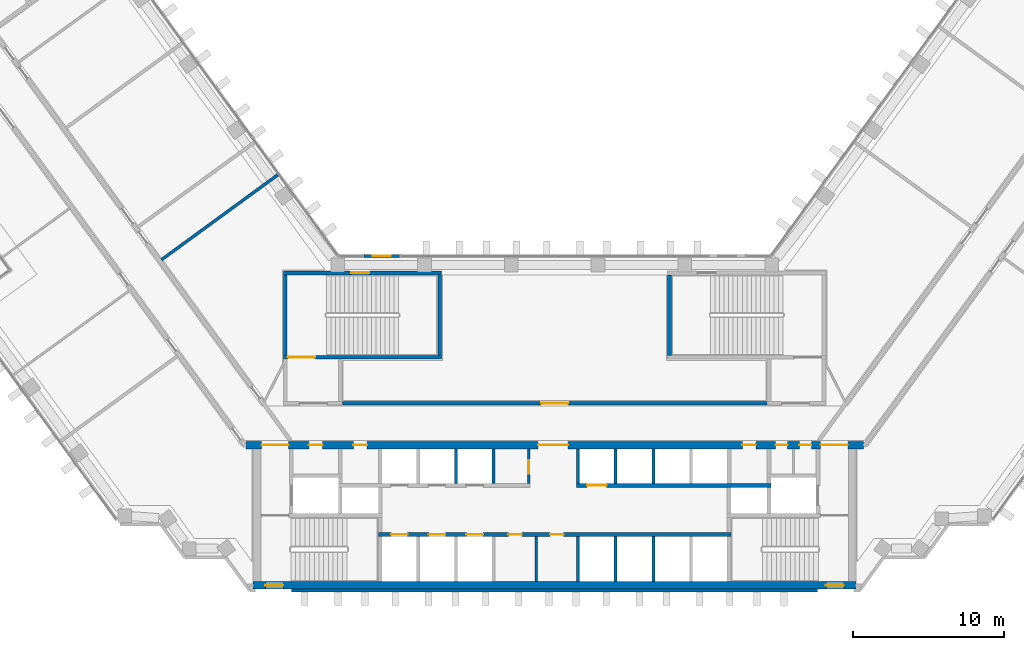
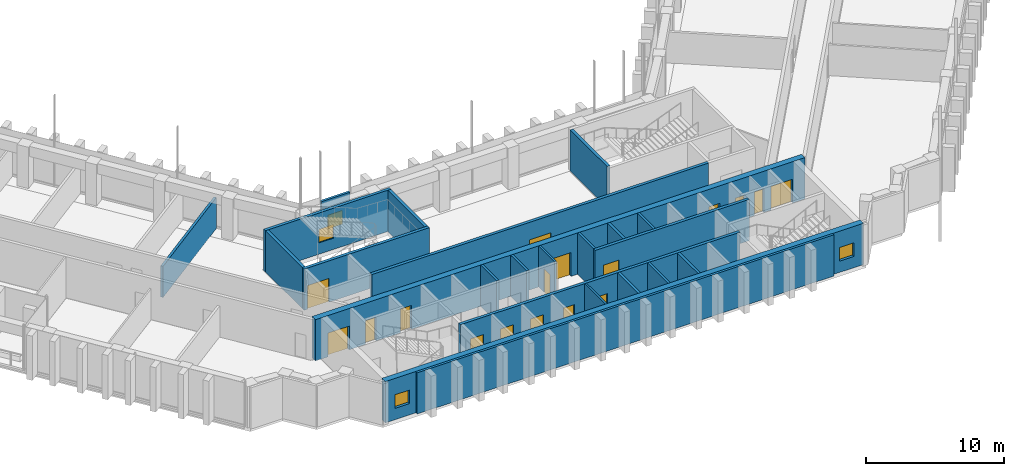
# One storey, part 11 of 19: 23 walls, 17 doors, 4 windows, 21 openings.
"""IFC4 building model written with IfcOpenShell, lengths in metres."""

from ifc_helpers import new_model, si_unit, direction, frame, frame_2d, origin, place, context, subcontext, project, spatial, rectangle, extrude, material, layer, layer_set, type_object, element, fill, save


model = new_model("IFC4")

# Units and contexts
model_context = context("Model", 3, precision=1e-05, world=origin(), true_north=direction((0.0, 1.0)))
body_context = subcontext(model_context, "Body", "Model", "MODEL_VIEW")
ifc_project = project(units=[si_unit("LENGTHUNIT", "METRE"), si_unit("AREAUNIT", "SQUARE_METRE"), si_unit("VOLUMEUNIT", "CUBIC_METRE"), si_unit("PLANEANGLEUNIT", "RADIAN"), si_unit("MASSUNIT", "GRAM", prefix="KILO")], contexts=[model_context])

# Site, building, storey
site_placement = place(None, origin())
site = spatial("IfcSite", under=ifc_project, at=site_placement, CompositionType="ELEMENT")
building_placement = place(site_placement, origin())
building = spatial("IfcBuilding", under=site, at=building_placement, Name="Quipu Civic Tower", CompositionType="ELEMENT")
storey_placement = place(building_placement, frame((0.0, 0.0, 47.0)))
storey = spatial("IfcBuildingStorey", under=building, at=storey_placement, Name="L10", CompositionType="ELEMENT", Elevation=47.0)

# Wall
ifc_material_1 = material(Name="Fired clay blockwork", Category="masonry")
ifc_layer_1 = layer(ifc_material_1, 0.199951171875)
ifc_layer_set_1 = layer_set([ifc_layer_1], Name="Fired clay blockwork")
wall_type_1 = type_object("IfcWallType", Name="Blockwork wall 200", PredefinedType="SOLIDWALL", material=ifc_layer_set_1)
wall_1_placement = place(storey_placement, frame((-26.089111328125, 10.847900390625, 0.0), z_axis=(0.0, 0.0, 1.0), x_axis=(0.807661302092, 0.589646691759, 0.0)))
element("IfcWall", 1, at=wall_1_placement, inside=storey, type_object=wall_type_1, Name="Partition P17", PredefinedType="SOLIDWALL", context=body_context, shape_type="SweptSolid", body=[
    extrude(rectangle(XDim=9.550048828125, YDim=0.199951171875, at=frame_2d((4.77490234375, 0.0))), origin(), (0.0, 0.0, 1.0), 2.75),
])

# Wall, openings, doors
ifc_material_2 = material(Name="Concrete C70/85", Category="concrete")
ifc_layer_2 = layer(ifc_material_2, 0.25)
ifc_layer_set_2 = layer_set([ifc_layer_2], Name="Concrete C70/85")
wall_type_2 = type_object("IfcWallType", Name="Core wall 250", PredefinedType="SHEAR", material=ifc_layer_set_2)
wall_2_placement = place(storey_placement, frame((11.699951171875, -7.375, 0.0), z_axis=(0.0, 0.0, 1.0), x_axis=(-1.0, 0.0, 0.0)))
wall_2 = element("IfcWall", 2, at=wall_2_placement, inside=storey, type_object=wall_type_2, Name="Core wall", PredefinedType="SHEAR", context=body_context, shape_type="SweptSolid", body=[
    extrude(rectangle(XDim=23.39990234375, YDim=0.25, at=frame_2d((11.699951171875, 0.0))), origin(), (0.0, 0.0, 1.0), 3.64990234375),
])
opening_1_placement = place(wall_2_placement, frame((21.449951171875, 0.0, 0.0)))
opening_1 = element("IfcOpeningElement", 3, at=opening_1_placement, cuts=wall_2, Name="Opening LD-LL1", PredefinedType="OPENING", context=body_context, shape_type="SweptSolid", body=[
    extrude(rectangle(XDim=1.10009765625, YDim=2.10009765625, at=frame_2d((0.550048828125, 1.050048828125))), frame((0.0, 0.135009765625, 0.0), z_axis=(0.0, -1.0, 0.0), x_axis=(1.0, 0.0, 0.0)), (0.0, 0.0, 1.0), 0.27001953125),
])
opening_2_placement = place(wall_2_placement, frame((18.949951171875, 0.0, 0.0)))
opening_2 = element("IfcOpeningElement", 4, at=opening_2_placement, cuts=wall_2, Name="Opening LD-LL2", PredefinedType="OPENING", context=body_context, shape_type="SweptSolid", body=[
    extrude(rectangle(XDim=1.10009765625, YDim=2.10009765625, at=frame_2d((0.550048828125, 1.050048828125))), frame((0.0, 0.135009765625, 0.0), z_axis=(0.0, -1.0, 0.0), x_axis=(1.0, 0.0, 0.0)), (0.0, 0.0, 1.0), 0.27001953125),
])
opening_3_placement = place(wall_2_placement, frame((16.449951171875, 0.0, 0.0)))
opening_3 = element("IfcOpeningElement", 5, at=opening_3_placement, cuts=wall_2, Name="Opening LD-LL3", PredefinedType="OPENING", context=body_context, shape_type="SweptSolid", body=[
    extrude(rectangle(XDim=1.10009765625, YDim=2.10009765625, at=frame_2d((0.550048828125, 1.050048828125))), frame((0.0, 0.135009765625, 0.0), z_axis=(0.0, -1.0, 0.0), x_axis=(1.0, 0.0, 0.0)), (0.0, 0.0, 1.0), 0.27001953125),
])
opening_4_placement = place(wall_2_placement, frame((13.875, 0.0, 0.0)))
opening_4 = element("IfcOpeningElement", 6, at=opening_4_placement, cuts=wall_2, Name="Opening CD-01", PredefinedType="OPENING", context=body_context, shape_type="SweptSolid", body=[
    extrude(rectangle(XDim=0.89990234375, YDim=2.10009765625, at=frame_2d((0.449951171875, 1.050048828125))), frame((0.0, 0.135009765625, 0.0), z_axis=(0.0, -1.0, 0.0), x_axis=(1.0, 0.0, 0.0)), (0.0, 0.0, 1.0), 0.27001953125),
])
opening_5_placement = place(wall_2_placement, frame((11.10009765625, 0.0, 0.0)))
opening_5 = element("IfcOpeningElement", 7, at=opening_5_placement, cuts=wall_2, Name="Opening CD-02", PredefinedType="OPENING", context=body_context, shape_type="SweptSolid", body=[
    extrude(rectangle(XDim=0.89990234375, YDim=2.10009765625, at=frame_2d((0.449951171875, 1.050048828125))), frame((0.0, 0.135009765625, 0.0), z_axis=(0.0, -1.0, 0.0), x_axis=(1.0, 0.0, 0.0)), (0.0, 0.0, 1.0), 0.27001953125),
])
ifc_material_3 = material(Name="Fire rated steel door", Category="steel")
door_type_1 = type_object("IfcDoorType", Name="Fire door FD60 900 x 2100", OperationType="NOTDEFINED", PredefinedType="DOOR", material=ifc_material_3)
door_1_placement = place(opening_4_placement, origin())
door_1 = element("IfcDoor", 8, at=door_1_placement, inside=storey, type_object=door_type_1, Name="WC door", OperationType="SINGLE_SWING_RIGHT", OverallHeight=2.10009765625, OverallWidth=0.89990234375, PredefinedType="DOOR", context=body_context, shape_type="SweptSolid", body=[
    extrude(rectangle(XDim=0.89990234375, YDim=2.10009765625, at=frame_2d((0.449951171875, 1.050048828125))), frame((0.0, 0.02490234375, 0.0), z_axis=(0.0, -1.0, 0.0), x_axis=(1.0, 0.0, 0.0)), (0.0, 0.0, 1.0), 0.050048828125),
])
fill(opening_4, door_1)
door_2_placement = place(opening_5_placement, origin())
door_2 = element("IfcDoor", 9, at=door_2_placement, inside=storey, type_object=door_type_1, Name="WC door", OperationType="SINGLE_SWING_LEFT", OverallHeight=2.10009765625, OverallWidth=0.89990234375, PredefinedType="DOOR", context=body_context, shape_type="SweptSolid", body=[
    extrude(rectangle(XDim=0.89990234375, YDim=2.10009765625, at=frame_2d((0.449951171875, 1.050048828125))), frame((0.0, 0.02490234375, 0.0), z_axis=(0.0, -1.0, 0.0), x_axis=(1.0, 0.0, 0.0)), (0.0, 0.0, 1.0), 0.050048828125),
])
fill(opening_5, door_2)
ifc_material_4 = material(Name="Stainless steel", Category="steel")
door_type_2 = type_object("IfcDoorType", Name="Lift landing door 1100 x 2100", OperationType="DOUBLE_DOOR_SLIDING", PredefinedType="DOOR", material=ifc_material_4)
door_3_placement = place(opening_1_placement, origin())
door_3 = element("IfcDoor", 10, at=door_3_placement, inside=storey, type_object=door_type_2, Name="Landing door LL1", OperationType="DOUBLE_DOOR_SLIDING", OverallHeight=2.10009765625, OverallWidth=1.10009765625, PredefinedType="DOOR", context=body_context, shape_type="SweptSolid", body=[
    extrude(rectangle(XDim=1.10009765625, YDim=2.10009765625, at=frame_2d((0.550048828125, 1.050048828125))), frame((0.0, 0.02490234375, 0.0), z_axis=(0.0, -1.0, 0.0), x_axis=(1.0, 0.0, 0.0)), (0.0, 0.0, 1.0), 0.050048828125),
])
fill(opening_1, door_3)
door_4_placement = place(opening_2_placement, origin())
door_4 = element("IfcDoor", 11, at=door_4_placement, inside=storey, type_object=door_type_2, Name="Landing door LL2", OperationType="DOUBLE_DOOR_SLIDING", OverallHeight=2.10009765625, OverallWidth=1.10009765625, PredefinedType="DOOR", context=body_context, shape_type="SweptSolid", body=[
    extrude(rectangle(XDim=1.10009765625, YDim=2.10009765625, at=frame_2d((0.550048828125, 1.050048828125))), frame((0.0, 0.02490234375, 0.0), z_axis=(0.0, -1.0, 0.0), x_axis=(1.0, 0.0, 0.0)), (0.0, 0.0, 1.0), 0.050048828125),
])
fill(opening_2, door_4)
door_5_placement = place(opening_3_placement, origin())
door_5 = element("IfcDoor", 12, at=door_5_placement, inside=storey, type_object=door_type_2, Name="Landing door LL3", OperationType="DOUBLE_DOOR_SLIDING", OverallHeight=2.10009765625, OverallWidth=1.10009765625, PredefinedType="DOOR", context=body_context, shape_type="SweptSolid", body=[
    extrude(rectangle(XDim=1.10009765625, YDim=2.10009765625, at=frame_2d((0.550048828125, 1.050048828125))), frame((0.0, 0.02490234375, 0.0), z_axis=(0.0, -1.0, 0.0), x_axis=(1.0, 0.0, 0.0)), (0.0, 0.0, 1.0), 0.050048828125),
])
fill(opening_3, door_5)

# Wall, opening, door
wall_3_placement = place(storey_placement, frame((1.449951171875, -4.125, 0.0), z_axis=(0.0, 0.0, 1.0), x_axis=(1.0, 0.0, 0.0)))
wall_3 = element("IfcWall", 13, at=wall_3_placement, inside=storey, type_object=wall_type_2, Name="Core wall", PredefinedType="SHEAR", context=body_context, shape_type="SweptSolid", body=[
    extrude(rectangle(XDim=12.900146484375, YDim=0.25, at=frame_2d((6.4501953125, 0.0))), origin(), (0.0, 0.0, 1.0), 3.64990234375),
])
opening_6_placement = place(wall_3_placement, frame((0.699951171875, 0.0, 0.0)))
opening_6 = element("IfcOpeningElement", 14, at=opening_6_placement, cuts=wall_3, Name="Opening LD-FF3", PredefinedType="OPENING", context=body_context, shape_type="SweptSolid", body=[
    extrude(rectangle(XDim=1.300048828125, YDim=2.10009765625, at=frame_2d((0.64990234375, 1.050048828125))), frame((0.0, 0.135009765625, 0.0), z_axis=(0.0, -1.0, 0.0), x_axis=(1.0, 0.0, 0.0)), (0.0, 0.0, 1.0), 0.27001953125),
])
ifc_material_5 = material(Name="Stainless steel", Category="steel")
door_type_3 = type_object("IfcDoorType", Name="Lift landing door 1300 x 2100", OperationType="DOUBLE_DOOR_SLIDING", PredefinedType="DOOR", material=ifc_material_5)
door_6_placement = place(opening_6_placement, origin())
door_6 = element("IfcDoor", 15, at=door_6_placement, inside=storey, type_object=door_type_3, Name="Landing door FF3", OperationType="DOUBLE_DOOR_SLIDING", OverallHeight=2.10009765625, OverallWidth=1.300048828125, PredefinedType="DOOR", context=body_context, shape_type="SweptSolid", body=[
    extrude(rectangle(XDim=1.300048828125, YDim=2.10009765625, at=frame_2d((0.64990234375, 1.050048828125))), frame((0.0, 0.02490234375, 0.0), z_axis=(0.0, -1.0, 0.0), x_axis=(1.0, 0.0, 0.0)), (0.0, 0.0, 1.0), 0.050048828125),
])
fill(opening_6, door_6)

wall_4_placement = place(storey_placement, frame((-18.0, 4.375, 0.0), z_axis=(0.0, 0.0, 1.0), x_axis=(1.0, 0.0, 0.0)))
wall_4 = element("IfcWall", 16, at=wall_4_placement, inside=storey, type_object=wall_type_2, Name="Core wall", PredefinedType="SHEAR", context=body_context, shape_type="SweptSolid", body=[
    extrude(rectangle(XDim=10.5, YDim=0.25, at=frame_2d((5.25, 0.0))), origin(), (0.0, 0.0, 1.0), 3.64990234375),
])
opening_7_placement = place(wall_4_placement, frame((0.300048828125, 0.0, 0.0)))
opening_7 = element("IfcOpeningElement", 17, at=opening_7_placement, cuts=wall_4, Name="Opening CD-15", PredefinedType="OPENING", context=body_context, shape_type="SweptSolid", body=[
    extrude(rectangle(XDim=1.800048828125, YDim=2.10009765625, at=frame_2d((0.89990234375, 1.050048828125))), frame((0.0, 0.135009765625, 0.0), z_axis=(0.0, -1.0, 0.0), x_axis=(1.0, 0.0, 0.0)), (0.0, 0.0, 1.0), 0.27001953125),
])
ifc_material_6 = material(Name="Fire rated steel door", Category="steel")
door_type_4 = type_object("IfcDoorType", Name="Fire door FD90 double 1800 x 2100", OperationType="NOTDEFINED", PredefinedType="DOOR", material=ifc_material_6)
door_7_placement = place(opening_7_placement, origin())
door_7 = element("IfcDoor", 18, at=door_7_placement, inside=storey, type_object=door_type_4, Name="Door", OperationType="DOUBLE_DOOR_SINGLE_SWING", OverallHeight=2.10009765625, OverallWidth=1.800048828125, PredefinedType="DOOR", context=body_context, shape_type="SweptSolid", body=[
    extrude(rectangle(XDim=1.800048828125, YDim=2.10009765625, at=frame_2d((0.89990234375, 1.050048828125))), frame((0.0, 0.02490234375, 0.0), z_axis=(0.0, -1.0, 0.0), x_axis=(1.0, 0.0, 0.0)), (0.0, 0.0, 1.0), 0.050048828125),
])
fill(opening_7, door_7)

# Walls
for number, where, z_axis, x_axis, name in (
    (19, (-17.875, 4.5, 0.0), (0.0, 0.0, 1.0), (0.0, 1.0, 0.0), "Core wall"),
    (20, (-7.625, 4.5, 0.0), (0.0, 0.0, 1.0), (0.0, 1.0, 0.0), "Core wall"),
):
    element("IfcWall", number, at=place(storey_placement, frame(where, z_axis=z_axis, x_axis=x_axis)), inside=storey, type_object=wall_type_2, Name=name, PredefinedType="SHEAR", context=body_context, shape_type="SweptSolid", body=[
        extrude(rectangle(XDim=5.35009765625, YDim=0.25, at=frame_2d((2.675048828125, 0.0))), origin(), (0.0, 0.0, 1.0), 3.64990234375),
    ])

# Wall, opening, window
wall_5_placement = place(storey_placement, frame((-18.0, 9.97509765625, 0.0), z_axis=(0.0, 0.0, 1.0), x_axis=(1.0, 0.0, 0.0)))
wall_5 = element("IfcWall", 21, at=wall_5_placement, inside=storey, type_object=wall_type_2, Name="Core wall", PredefinedType="SHEAR", context=body_context, shape_type="SweptSolid", body=[
    extrude(rectangle(XDim=10.5, YDim=0.25, at=frame_2d((5.25, 0.0))), origin(), (0.0, 0.0, 1.0), 3.64990234375),
])
opening_8_placement = place(wall_5_placement, frame((4.5, 0.0, 1.0)))
opening_8 = element("IfcOpeningElement", 22, at=opening_8_placement, cuts=wall_5, Name="Opening SV-3", PredefinedType="OPENING", context=body_context, shape_type="SweptSolid", body=[
    extrude(rectangle(XDim=1.199951171875, YDim=1.199951171875, at=frame_2d((0.60009765625, 0.60009765625))), frame((0.0, 0.135009765625, 0.0), z_axis=(0.0, -1.0, 0.0), x_axis=(1.0, 0.0, 0.0)), (0.0, 0.0, 1.0), 0.27001953125),
])
ifc_material_7 = material(Name="Aluminium louvre", Category="aluminium")
window_type_1 = type_object("IfcWindowType", Name="Stair ventilation louvre 1200 x 1200", PartitioningType="SINGLE_PANEL", PredefinedType="WINDOW", material=ifc_material_7)
window_1_placement = place(opening_8_placement, origin())
window_1 = element("IfcWindow", 23, at=window_1_placement, inside=storey, type_object=window_type_1, Name="Stair ventilation opening", OverallHeight=1.199951171875, OverallWidth=1.199951171875, PartitioningType="SINGLE_PANEL", PredefinedType="WINDOW", context=body_context, shape_type="SweptSolid", body=[
    extrude(rectangle(XDim=1.199951171875, YDim=1.199951171875, at=frame_2d((0.60009765625, 0.60009765625))), frame((0.0, 0.030029296875, 0.0), z_axis=(0.0, -1.0, 0.0), x_axis=(1.0, 0.0, 0.0)), (0.0, 0.0, 1.0), 0.06005859375),
])
fill(opening_8, window_1)

# Wall
wall_6_placement = place(storey_placement, frame((7.625, 4.5, 0.0), z_axis=(0.0, 0.0, 1.0), x_axis=(0.0, 1.0, 0.0)))
element("IfcWall", 24, at=wall_6_placement, inside=storey, type_object=wall_type_2, Name="Core wall", PredefinedType="SHEAR", context=body_context, shape_type="SweptSolid", body=[
    extrude(rectangle(XDim=5.35009765625, YDim=0.25, at=frame_2d((2.675048828125, 0.0))), origin(), (0.0, 0.0, 1.0), 3.64990234375),
])

# Wall, openings, windows
ifc_material_8 = material(Name="Concrete C70/85", Category="concrete")
ifc_layer_3 = layer(ifc_material_8, 0.5)
ifc_layer_set_3 = layer_set([ifc_layer_3], Name="Concrete C70/85")
wall_type_3 = type_object("IfcWallType", Name="Core wall 500", PredefinedType="SHEAR", material=ifc_layer_set_3)
wall_7_placement = place(storey_placement, frame((-20.0, -10.75, 0.0), z_axis=(0.0, 0.0, 1.0), x_axis=(1.0, 0.0, 0.0)))
wall_7 = element("IfcWall", 25, at=wall_7_placement, inside=storey, type_object=wall_type_3, Name="Core wall", PredefinedType="SHEAR", context=body_context, shape_type="SweptSolid", body=[
    extrude(rectangle(XDim=40.0, YDim=0.5, at=frame_2d((20.0, 0.0))), origin(), (0.0, 0.0, 1.0), 3.64990234375),
])
opening_9_placement = place(wall_7_placement, frame((0.800048828125, 0.0, 1.0)))
opening_9 = element("IfcOpeningElement", 26, at=opening_9_placement, cuts=wall_7, Name="Opening SV-1", PredefinedType="OPENING", context=body_context, shape_type="SweptSolid", body=[
    extrude(rectangle(XDim=1.199951171875, YDim=1.199951171875, at=frame_2d((0.60009765625, 0.60009765625))), frame((0.0, 0.260009765625, 0.0), z_axis=(0.0, -1.0, 0.0), x_axis=(1.0, 0.0, 0.0)), (0.0, 0.0, 1.0), 0.52001953125),
])
opening_10_placement = place(wall_7_placement, frame((38.0, 0.0, 1.0)))
opening_10 = element("IfcOpeningElement", 27, at=opening_10_placement, cuts=wall_7, Name="Opening SV-2", PredefinedType="OPENING", context=body_context, shape_type="SweptSolid", body=[
    extrude(rectangle(XDim=1.199951171875, YDim=1.199951171875, at=frame_2d((0.60009765625, 0.60009765625))), frame((0.0, 0.260009765625, 0.0), z_axis=(0.0, -1.0, 0.0), x_axis=(1.0, 0.0, 0.0)), (0.0, 0.0, 1.0), 0.52001953125),
])
window_2_placement = place(opening_9_placement, origin())
window_2 = element("IfcWindow", 28, at=window_2_placement, inside=storey, type_object=window_type_1, Name="Stair ventilation opening", OverallHeight=1.199951171875, OverallWidth=1.199951171875, PartitioningType="SINGLE_PANEL", PredefinedType="WINDOW", context=body_context, shape_type="SweptSolid", body=[
    extrude(rectangle(XDim=1.199951171875, YDim=1.199951171875, at=frame_2d((0.60009765625, 0.60009765625))), frame((0.0, 0.030029296875, 0.0), z_axis=(0.0, -1.0, 0.0), x_axis=(1.0, 0.0, 0.0)), (0.0, 0.0, 1.0), 0.06005859375),
])
fill(opening_9, window_2)
window_3_placement = place(opening_10_placement, origin())
window_3 = element("IfcWindow", 29, at=window_3_placement, inside=storey, type_object=window_type_1, Name="Stair ventilation opening", OverallHeight=1.199951171875, OverallWidth=1.199951171875, PartitioningType="SINGLE_PANEL", PredefinedType="WINDOW", context=body_context, shape_type="SweptSolid", body=[
    extrude(rectangle(XDim=1.199951171875, YDim=1.199951171875, at=frame_2d((0.60009765625, 0.60009765625))), frame((0.0, 0.030029296875, 0.0), z_axis=(0.0, -1.0, 0.0), x_axis=(1.0, 0.0, 0.0)), (0.0, 0.0, 1.0), 0.06005859375),
])
fill(opening_10, window_3)

# Wall, openings, doors
wall_8_placement = place(storey_placement, frame((20.489990234375, -1.449951171875, 0.0), z_axis=(0.0, 0.0, 1.0), x_axis=(-1.0, 0.0, 0.0)))
wall_8 = element("IfcWall", 30, at=wall_8_placement, inside=storey, type_object=wall_type_3, Name="Core wall", PredefinedType="SHEAR", context=body_context, shape_type="SweptSolid", body=[
    extrude(rectangle(XDim=40.97998046875, YDim=0.5, at=frame_2d((20.489990234375, 0.0))), origin(), (0.0, 0.0, 1.0), 3.64990234375),
])
opening_11_placement = place(wall_8_placement, frame((38.139892578125, 0.0, 0.0)))
opening_11 = element("IfcOpeningElement", 31, at=opening_11_placement, cuts=wall_8, Name="Opening CD-06", PredefinedType="OPENING", context=body_context, shape_type="SweptSolid", body=[
    extrude(rectangle(XDim=1.800048828125, YDim=2.10009765625, at=frame_2d((0.89990234375, 1.050048828125))), frame((0.0, 0.260009765625, 0.0), z_axis=(0.0, -1.0, 0.0), x_axis=(1.0, 0.0, 0.0)), (0.0, 0.0, 1.0), 0.52001953125),
])
opening_12_placement = place(wall_8_placement, frame((35.889892578125, 0.0, 0.0)))
opening_12 = element("IfcOpeningElement", 32, at=opening_12_placement, cuts=wall_8, Name="Opening CD-07", PredefinedType="OPENING", context=body_context, shape_type="SweptSolid", body=[
    extrude(rectangle(XDim=0.89990234375, YDim=2.10009765625, at=frame_2d((0.449951171875, 1.050048828125))), frame((0.0, 0.260009765625, 0.0), z_axis=(0.0, -1.0, 0.0), x_axis=(1.0, 0.0, 0.0)), (0.0, 0.0, 1.0), 0.52001953125),
])
opening_13_placement = place(wall_8_placement, frame((32.93994140625, 0.0, 0.0)))
opening_13 = element("IfcOpeningElement", 33, at=opening_13_placement, cuts=wall_8, Name="Opening CD-08", PredefinedType="OPENING", context=body_context, shape_type="SweptSolid", body=[
    extrude(rectangle(XDim=0.89990234375, YDim=2.10009765625, at=frame_2d((0.449951171875, 1.050048828125))), frame((0.0, 0.260009765625, 0.0), z_axis=(0.0, -1.0, 0.0), x_axis=(1.0, 0.0, 0.0)), (0.0, 0.0, 1.0), 0.52001953125),
])
opening_14_placement = place(wall_8_placement, frame((19.590087890625, 0.0, 0.0)))
opening_14 = element("IfcOpeningElement", 34, at=opening_14_placement, cuts=wall_8, Name="Opening CD-09", PredefinedType="OPENING", context=body_context, shape_type="SweptSolid", body=[
    extrude(rectangle(XDim=2.0, YDim=2.10009765625, at=frame_2d((1.0, 1.050048828125))), frame((0.0, 0.260009765625, 0.0), z_axis=(0.0, -1.0, 0.0), x_axis=(1.0, 0.0, 0.0)), (0.0, 0.0, 1.0), 0.52001953125),
])
opening_15_placement = place(wall_8_placement, frame((7.139892578125, 0.0, 0.0)))
opening_15 = element("IfcOpeningElement", 35, at=opening_15_placement, cuts=wall_8, Name="Opening CD-10", PredefinedType="OPENING", context=body_context, shape_type="SweptSolid", body=[
    extrude(rectangle(XDim=0.89990234375, YDim=2.10009765625, at=frame_2d((0.449951171875, 1.050048828125))), frame((0.0, 0.260009765625, 0.0), z_axis=(0.0, -1.0, 0.0), x_axis=(1.0, 0.0, 0.0)), (0.0, 0.0, 1.0), 0.52001953125),
])
opening_16_placement = place(wall_8_placement, frame((5.027587890625, 0.0, 0.0)))
opening_16 = element("IfcOpeningElement", 36, at=opening_16_placement, cuts=wall_8, Name="Opening CD-11", PredefinedType="OPENING", context=body_context, shape_type="SweptSolid", body=[
    extrude(rectangle(XDim=0.800048828125, YDim=2.10009765625, at=frame_2d((0.39990234375, 1.050048828125))), frame((0.0, 0.260009765625, 0.0), z_axis=(0.0, -1.0, 0.0), x_axis=(1.0, 0.0, 0.0)), (0.0, 0.0, 1.0), 0.52001953125),
])
opening_17_placement = place(wall_8_placement, frame((3.452392578125, 0.0, 0.0)))
opening_17 = element("IfcOpeningElement", 37, at=opening_17_placement, cuts=wall_8, Name="Opening CD-12", PredefinedType="OPENING", context=body_context, shape_type="SweptSolid", body=[
    extrude(rectangle(XDim=0.800048828125, YDim=2.10009765625, at=frame_2d((0.39990234375, 1.050048828125))), frame((0.0, 0.260009765625, 0.0), z_axis=(0.0, -1.0, 0.0), x_axis=(1.0, 0.0, 0.0)), (0.0, 0.0, 1.0), 0.52001953125),
])
opening_18_placement = place(wall_8_placement, frame((1.0400390625, 0.0, 0.0)))
opening_18 = element("IfcOpeningElement", 38, at=opening_18_placement, cuts=wall_8, Name="Opening CD-13", PredefinedType="OPENING", context=body_context, shape_type="SweptSolid", body=[
    extrude(rectangle(XDim=1.800048828125, YDim=2.10009765625, at=frame_2d((0.89990234375, 1.050048828125))), frame((0.0, 0.260009765625, 0.0), z_axis=(0.0, -1.0, 0.0), x_axis=(1.0, 0.0, 0.0)), (0.0, 0.0, 1.0), 0.52001953125),
])
ifc_material_9 = material(Name="Fire rated steel door", Category="steel")
door_type_5 = type_object("IfcDoorType", Name="Fire door FD60 800 x 2100", OperationType="NOTDEFINED", PredefinedType="DOOR", material=ifc_material_9)
door_8_placement = place(opening_16_placement, origin())
door_8 = element("IfcDoor", 39, at=door_8_placement, inside=storey, type_object=door_type_5, Name="Door", OperationType="SINGLE_SWING_LEFT", OverallHeight=2.10009765625, OverallWidth=0.800048828125, PredefinedType="DOOR", context=body_context, shape_type="SweptSolid", body=[
    extrude(rectangle(XDim=0.800048828125, YDim=2.10009765625, at=frame_2d((0.39990234375, 1.050048828125))), frame((0.0, 0.02490234375, 0.0), z_axis=(0.0, -1.0, 0.0), x_axis=(1.0, 0.0, 0.0)), (0.0, 0.0, 1.0), 0.050048828125),
])
fill(opening_16, door_8)
door_9_placement = place(opening_17_placement, origin())
door_9 = element("IfcDoor", 40, at=door_9_placement, inside=storey, type_object=door_type_5, Name="Door", OperationType="SINGLE_SWING_LEFT", OverallHeight=2.10009765625, OverallWidth=0.800048828125, PredefinedType="DOOR", context=body_context, shape_type="SweptSolid", body=[
    extrude(rectangle(XDim=0.800048828125, YDim=2.10009765625, at=frame_2d((0.39990234375, 1.050048828125))), frame((0.0, 0.02490234375, 0.0), z_axis=(0.0, -1.0, 0.0), x_axis=(1.0, 0.0, 0.0)), (0.0, 0.0, 1.0), 0.050048828125),
])
fill(opening_17, door_9)
door_10_placement = place(opening_12_placement, origin())
door_10 = element("IfcDoor", 41, at=door_10_placement, inside=storey, type_object=door_type_1, Name="Door", OperationType="SINGLE_SWING_RIGHT", OverallHeight=2.10009765625, OverallWidth=0.89990234375, PredefinedType="DOOR", context=body_context, shape_type="SweptSolid", body=[
    extrude(rectangle(XDim=0.89990234375, YDim=2.10009765625, at=frame_2d((0.449951171875, 1.050048828125))), frame((0.0, 0.02490234375, 0.0), z_axis=(0.0, -1.0, 0.0), x_axis=(1.0, 0.0, 0.0)), (0.0, 0.0, 1.0), 0.050048828125),
])
fill(opening_12, door_10)
door_11_placement = place(opening_13_placement, origin())
door_11 = element("IfcDoor", 42, at=door_11_placement, inside=storey, type_object=door_type_1, Name="Riser door", OperationType="SINGLE_SWING_RIGHT", OverallHeight=2.10009765625, OverallWidth=0.89990234375, PredefinedType="DOOR", context=body_context, shape_type="SweptSolid", body=[
    extrude(rectangle(XDim=0.89990234375, YDim=2.10009765625, at=frame_2d((0.449951171875, 1.050048828125))), frame((0.0, 0.02490234375, 0.0), z_axis=(0.0, -1.0, 0.0), x_axis=(1.0, 0.0, 0.0)), (0.0, 0.0, 1.0), 0.050048828125),
])
fill(opening_13, door_11)
door_12_placement = place(opening_15_placement, origin())
door_12 = element("IfcDoor", 43, at=door_12_placement, inside=storey, type_object=door_type_1, Name="Riser door", OperationType="SINGLE_SWING_LEFT", OverallHeight=2.10009765625, OverallWidth=0.89990234375, PredefinedType="DOOR", context=body_context, shape_type="SweptSolid", body=[
    extrude(rectangle(XDim=0.89990234375, YDim=2.10009765625, at=frame_2d((0.449951171875, 1.050048828125))), frame((0.0, 0.02490234375, 0.0), z_axis=(0.0, -1.0, 0.0), x_axis=(1.0, 0.0, 0.0)), (0.0, 0.0, 1.0), 0.050048828125),
])
fill(opening_15, door_12)
door_13_placement = place(opening_11_placement, origin())
door_13 = element("IfcDoor", 44, at=door_13_placement, inside=storey, type_object=door_type_4, Name="Lobby door", OperationType="DOUBLE_DOOR_SINGLE_SWING", OverallHeight=2.10009765625, OverallWidth=1.800048828125, PredefinedType="DOOR", context=body_context, shape_type="SweptSolid", body=[
    extrude(rectangle(XDim=1.800048828125, YDim=2.10009765625, at=frame_2d((0.89990234375, 1.050048828125))), frame((0.0, 0.02490234375, 0.0), z_axis=(0.0, -1.0, 0.0), x_axis=(1.0, 0.0, 0.0)), (0.0, 0.0, 1.0), 0.050048828125),
])
fill(opening_11, door_13)
door_14_placement = place(opening_18_placement, origin())
door_14 = element("IfcDoor", 45, at=door_14_placement, inside=storey, type_object=door_type_4, Name="Lobby door", OperationType="DOUBLE_DOOR_SINGLE_SWING", OverallHeight=2.10009765625, OverallWidth=1.800048828125, PredefinedType="DOOR", context=body_context, shape_type="SweptSolid", body=[
    extrude(rectangle(XDim=1.800048828125, YDim=2.10009765625, at=frame_2d((0.89990234375, 1.050048828125))), frame((0.0, 0.02490234375, 0.0), z_axis=(0.0, -1.0, 0.0), x_axis=(1.0, 0.0, 0.0)), (0.0, 0.0, 1.0), 0.050048828125),
])
fill(opening_18, door_14)
ifc_material_10 = material(Name="Fire rated steel door", Category="steel")
door_type_6 = type_object("IfcDoorType", Name="Fire door FD90 double 2000 x 2100", OperationType="NOTDEFINED", PredefinedType="DOOR", material=ifc_material_10)
door_15_placement = place(opening_14_placement, origin())
door_15 = element("IfcDoor", 46, at=door_15_placement, inside=storey, type_object=door_type_6, Name="Lobby door", OperationType="DOUBLE_DOOR_SINGLE_SWING", OverallHeight=2.10009765625, OverallWidth=2.0, PredefinedType="DOOR", context=body_context, shape_type="SweptSolid", body=[
    extrude(rectangle(XDim=2.0, YDim=2.10009765625, at=frame_2d((1.0, 1.050048828125))), frame((0.0, 0.02490234375, 0.0), z_axis=(0.0, -1.0, 0.0), x_axis=(1.0, 0.0, 0.0)), (0.0, 0.0, 1.0), 0.050048828125),
])
fill(opening_14, door_15)

# Wall, opening, door
ifc_material_11 = material(Name="Concrete C50/60", Category="concrete")
ifc_layer_4 = layer(ifc_material_11, 0.25)
ifc_layer_set_4 = layer_set([ifc_layer_4], Name="Concrete C50/60")
wall_type_4 = type_object("IfcWallType", Name="Corridor wall 250 concrete", PredefinedType="SOLIDWALL", material=ifc_layer_set_4)
wall_9_placement = place(storey_placement, frame((-14.090087890625, 1.324951171875, 0.0), z_axis=(0.0, 0.0, 1.0), x_axis=(1.0, 0.0, 0.0)))
wall_9 = element("IfcWall", 47, at=wall_9_placement, inside=storey, type_object=wall_type_4, Name="Corridor wall C05", PredefinedType="SOLIDWALL", context=body_context, shape_type="SweptSolid", body=[
    extrude(rectangle(XDim=28.18017578125, YDim=0.25, at=frame_2d((14.090087890625, 0.0))), origin(), (0.0, 0.0, 1.0), 3.64990234375),
])
opening_19_placement = place(wall_9_placement, frame((13.18994140625, 0.0, 0.0)))
opening_19 = element("IfcOpeningElement", 48, at=opening_19_placement, cuts=wall_9, Name="Opening D011", PredefinedType="OPENING", context=body_context, shape_type="SweptSolid", body=[
    extrude(rectangle(XDim=1.800048828125, YDim=2.10009765625, at=frame_2d((0.89990234375, 1.050048828125))), frame((0.0, 0.135009765625, 0.0), z_axis=(0.0, -1.0, 0.0), x_axis=(1.0, 0.0, 0.0)), (0.0, 0.0, 1.0), 0.27001953125),
])
ifc_material_12 = material(Name="Fire rated timber door set with metal frame", Category="wood")
door_type_7 = type_object("IfcDoorType", Name="Double door 1800 x 2100 FD60", OperationType="DOUBLE_DOOR_SINGLE_SWING", PredefinedType="DOOR", material=ifc_material_12)
door_16_placement = place(opening_19_placement, origin())
door_16 = element("IfcDoor", 49, at=door_16_placement, inside=storey, type_object=door_type_7, Name="Door D011", OperationType="DOUBLE_DOOR_SINGLE_SWING", OverallHeight=2.10009765625, OverallWidth=1.800048828125, PredefinedType="DOOR", context=body_context, shape_type="SweptSolid", body=[
    extrude(rectangle(XDim=1.800048828125, YDim=2.10009765625, at=frame_2d((0.89990234375, 1.050048828125))), frame((0.0, 0.02490234375, 0.0), z_axis=(0.0, -1.0, 0.0), x_axis=(1.0, 0.0, 0.0)), (0.0, 0.0, 1.0), 0.050048828125),
])
fill(opening_19, door_16)

# Wall
ifc_material_13 = material(Name="Gypsum board partition")
ifc_layer_5 = layer(ifc_material_13, 0.14990234375)
ifc_layer_set_5 = layer_set([ifc_layer_5], Name="Gypsum board partition")
wall_type_5 = type_object("IfcWallType", Name="Partition 150", PredefinedType="PARTITIONING", material=ifc_layer_set_5)
wall_10_placement = place(storey_placement, frame((-1.22509765625, -10.5, 0.0), z_axis=(0.0, 0.0, 1.0), x_axis=(0.0, 1.0, 0.0)))
element("IfcWall", 50, at=wall_10_placement, inside=storey, type_object=wall_type_5, Name="Partition", PredefinedType="PARTITIONING", context=body_context, shape_type="SweptSolid", body=[
    extrude(rectangle(XDim=3.0, YDim=0.14990234375, at=frame_2d((1.5, 0.0))), origin(), (0.0, 0.0, 1.0), 3.64990234375),
])

# Wall, opening, door
wall_11_placement = place(storey_placement, frame((-1.72509765625, -1.699951171875, 0.0), z_axis=(0.0, 0.0, 1.0), x_axis=(0.0, -1.0, 0.0)))
wall_11 = element("IfcWall", 51, at=wall_11_placement, inside=storey, type_object=wall_type_5, Name="Partition", PredefinedType="PARTITIONING", context=body_context, shape_type="SweptSolid", body=[
    extrude(rectangle(XDim=2.300048828125, YDim=0.14990234375, at=frame_2d((1.14990234375, 0.0))), origin(), (0.0, 0.0, 1.0), 3.64990234375),
])
opening_20_placement = place(wall_11_placement, frame((0.75, 0.0, 0.0)))
opening_20 = element("IfcOpeningElement", 52, at=opening_20_placement, cuts=wall_11, Name="Opening CD-05", PredefinedType="OPENING", context=body_context, shape_type="SweptSolid", body=[
    extrude(rectangle(XDim=0.89990234375, YDim=2.10009765625, at=frame_2d((0.449951171875, 1.050048828125))), frame((0.0, 0.0849609375, 0.0), z_axis=(0.0, -1.0, 0.0), x_axis=(1.0, 0.0, 0.0)), (0.0, 0.0, 1.0), 0.169921875),
])
door_17_placement = place(opening_20_placement, origin())
door_17 = element("IfcDoor", 53, at=door_17_placement, inside=storey, type_object=door_type_1, Name="WC door", OperationType="SINGLE_SWING_RIGHT", OverallHeight=2.10009765625, OverallWidth=0.89990234375, PredefinedType="DOOR", context=body_context, shape_type="SweptSolid", body=[
    extrude(rectangle(XDim=0.89990234375, YDim=2.10009765625, at=frame_2d((0.449951171875, 1.050048828125))), frame((0.0, 0.02490234375, 0.0), z_axis=(0.0, -1.0, 0.0), x_axis=(1.0, 0.0, 0.0)), (0.0, 0.0, 1.0), 0.050048828125),
])
fill(opening_20, door_17)

# Wall
ifc_material_14 = material(Name="Precast concrete C40/50", Category="concrete")
wall_type_6 = type_object("IfcWallType", Name="Precast cladding wall", PredefinedType="SOLIDWALL", material=ifc_material_14)
wall_12_placement = place(storey_placement, frame((-17.44384765625, -11.087890625, 0.0), z_axis=(0.0, 0.0, 1.0), x_axis=(1.0, 0.0, 0.0)))
element("IfcWall", 54, at=wall_12_placement, inside=storey, type_object=wall_type_6, Name="Precast cladding wall L10 P09", PredefinedType="SOLIDWALL", context=body_context, shape_type="SweptSolid", body=[
    extrude(rectangle(XDim=34.8876953125, YDim=0.199951171875, at=frame_2d((17.44384765625, 0.0))), origin(), (0.0, 0.0, 1.0), 3.64990234375),
])

# Wall, opening, window
wall_13_placement = place(storey_placement, frame((-10.263427734375, 11.10009765625, 0.0), z_axis=(0.0, 0.0, 1.0), x_axis=(-1.0, 0.0, 0.0)))
wall_13 = element("IfcWall", 55, at=wall_13_placement, inside=storey, type_object=wall_type_6, Name="Vent surround SF-L09-1", PredefinedType="SOLIDWALL", context=body_context, shape_type="SweptSolid", body=[
    extrude(rectangle(XDim=2.3916015625, YDim=0.199951171875, at=frame_2d((1.19580078125, 0.0))), origin(), (0.0, 0.0, 1.0), 3.64990234375),
])
opening_21_placement = place(wall_13_placement, frame((0.595703125, 0.0, 1.0)))
opening_21 = element("IfcOpeningElement", 56, at=opening_21_placement, cuts=wall_13, Name="Opening SF-L09-1", PredefinedType="OPENING", context=body_context, shape_type="SweptSolid", body=[
    extrude(rectangle(XDim=1.199951171875, YDim=1.199951171875, at=frame_2d((0.60009765625, 0.60009765625))), frame((0.0, 0.10986328125, 0.0), z_axis=(0.0, -1.0, 0.0), x_axis=(1.0, 0.0, 0.0)), (0.0, 0.0, 1.0), 0.219970703125),
])
ifc_material_15 = material(Name="Anodised aluminium louvre", Category="aluminium")
window_type_2 = type_object("IfcWindowType", Name="Stair vent louvre window P3", PartitioningType="SINGLE_PANEL", PredefinedType="WINDOW", material=ifc_material_15)
window_4_placement = place(opening_21_placement, origin())
window_4 = element("IfcWindow", 57, at=window_4_placement, inside=storey, type_object=window_type_2, Name="Stair vent louvre SF-L09-1", OverallHeight=1.199951171875, OverallWidth=1.199951171875, PartitioningType="SINGLE_PANEL", PredefinedType="WINDOW", context=body_context, shape_type="SweptSolid", body=[
    extrude(rectangle(XDim=1.199951171875, YDim=1.199951171875, at=frame_2d((0.60009765625, 0.60009765625))), frame((0.0, 0.030029296875, 0.0), z_axis=(0.0, -1.0, 0.0), x_axis=(1.0, 0.0, 0.0)), (0.0, 0.0, 1.0), 0.06005859375),
])
fill(opening_21, window_4)

# Walls
ifc_material_16 = material(Name="Concrete C40/50", Category="concrete")
ifc_layer_6 = layer(ifc_material_16, 0.199951171875)
ifc_layer_set_6 = layer_set([ifc_layer_6], Name="Concrete C40/50")
wall_type_7 = type_object("IfcWallType", Name="Shaft wall 200", PredefinedType="SOLIDWALL", material=ifc_layer_set_6)
for number, where, z_axis, x_axis, name in (
    (58, (1.550048828125, -10.5, 0.0), (0.0, 0.0, 1.0), (0.0, 1.0, 0.0), "Shaft wall"),
    (59, (4.050048828125, -10.5, 0.0), (0.0, 0.0, 1.0), (0.0, 1.0, 0.0), "Shaft wall"),
    (60, (6.550048828125, -10.5, 0.0), (0.0, 0.0, 1.0), (0.0, 1.0, 0.0), "Shaft wall"),
):
    element("IfcWall", number, at=place(storey_placement, frame(where, z_axis=z_axis, x_axis=x_axis)), inside=storey, type_object=wall_type_7, Name=name, PredefinedType="SOLIDWALL", context=body_context, shape_type="SweptSolid", body=[
        extrude(rectangle(XDim=3.0, YDim=0.199951171875, at=frame_2d((1.5, 0.0))), origin(), (0.0, 0.0, 1.0), 3.64990234375),
    ])
for number, where, z_axis, x_axis, name in (
    (61, (-6.550048828125, -4.0, 0.0), (0.0, 0.0, 1.0), (0.0, 1.0, 0.0), "Shaft wall"),
    (62, (-4.050048828125, -4.0, 0.0), (0.0, 0.0, 1.0), (0.0, 1.0, 0.0), "Shaft wall"),
    (63, (1.550048828125, -4.0, 0.0), (0.0, 0.0, 1.0), (0.0, 1.0, 0.0), "Shaft wall"),
    (64, (4.050048828125, -4.0, 0.0), (0.0, 0.0, 1.0), (0.0, 1.0, 0.0), "Shaft wall"),
    (65, (6.550048828125, -4.0, 0.0), (0.0, 0.0, 1.0), (0.0, 1.0, 0.0), "Shaft wall"),
):
    element("IfcWall", number, at=place(storey_placement, frame(where, z_axis=z_axis, x_axis=x_axis)), inside=storey, type_object=wall_type_7, Name=name, PredefinedType="SOLIDWALL", context=body_context, shape_type="SweptSolid", body=[
        extrude(rectangle(XDim=2.300048828125, YDim=0.199951171875, at=frame_2d((1.14990234375, 0.0))), origin(), (0.0, 0.0, 1.0), 3.64990234375),
    ])

save(model, "model.ifc")
